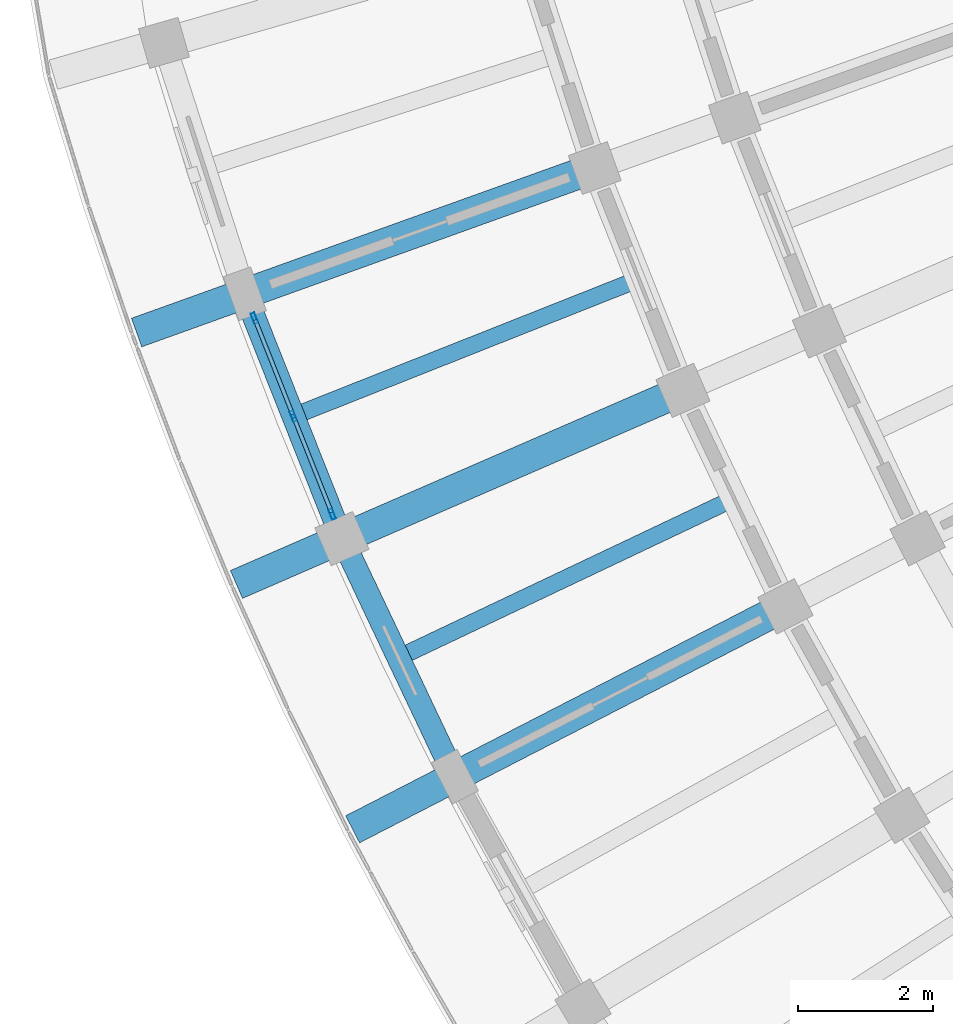
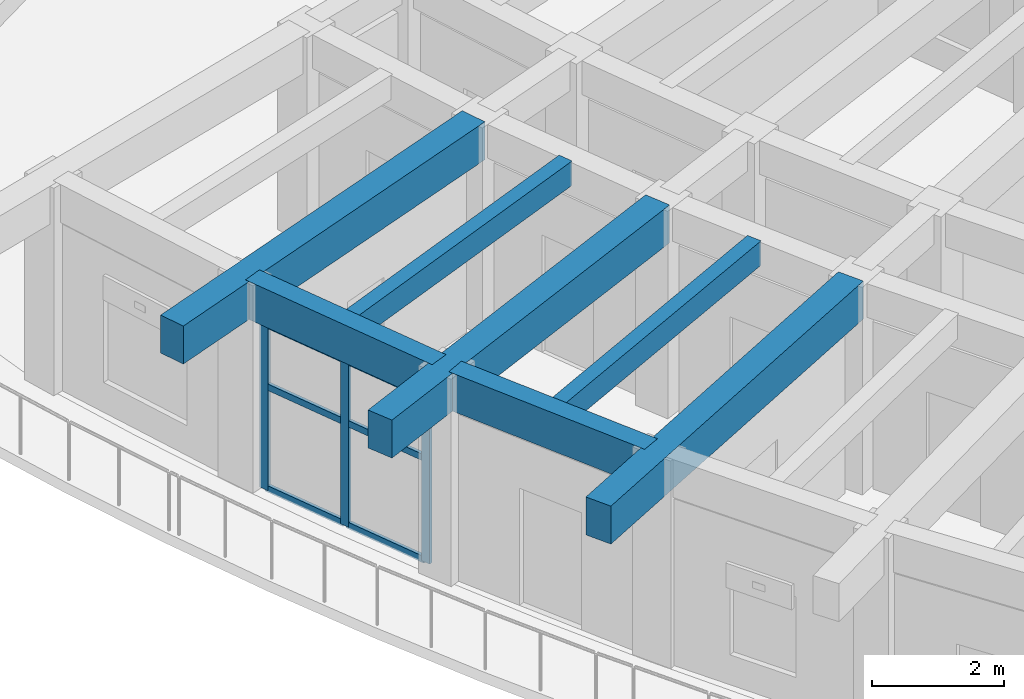
# One storey, part 13 of 128: 9 members, 7 beams, 1 element without a shape of its own.
"""IFC4 building model written with IfcOpenShell, lengths in metres."""

from ifc_helpers import new_model, si_unit, direction, frame, origin, origin_2d, place, context, subcontext, project, spatial, rectangle, hollow_rectangle, extrude, material, material_profile, profile_set, type_object, element, aggregate, save


model = new_model("IFC4")

# Units and contexts
model_context = context("Model", 3, precision=1e-05, world=origin(), true_north=direction((0.0, 1.0)))
body_context = subcontext(model_context, "Body", "Model", "MODEL_VIEW")
ifc_project = project(units=[si_unit("LENGTHUNIT", "METRE"), si_unit("AREAUNIT", "SQUARE_METRE"), si_unit("VOLUMEUNIT", "CUBIC_METRE"), si_unit("PLANEANGLEUNIT", "RADIAN"), si_unit("MASSUNIT", "GRAM", prefix="KILO")], contexts=[model_context])

# Site, building, storey
site_placement = place(None, origin())
site = spatial("IfcSite", under=ifc_project, at=site_placement, CompositionType="ELEMENT")
building_placement = place(site_placement, origin())
building = spatial("IfcBuilding", under=site, at=building_placement, Name="Tanwirah Colonnade Gardens", CompositionType="ELEMENT")
storey_placement = place(building_placement, frame((0.0, 0.0, 4.760009765625)))
storey = spatial("IfcBuildingStorey", under=building, at=storey_placement, Name="L01", CompositionType="ELEMENT", Elevation=4.760009765625)

# Beams
ifc_material_1 = material(Name="Precast concrete C45/55", Category="concrete")
ifc_material_profile_1 = material_profile(ifc_material_1, rectangle(XDim=0.449951171875, YDim=0.699951171875, at=origin_2d()), Name="PC-BM 450x700")
ifc_profile_set_1 = profile_set([ifc_material_profile_1], Name="Precast concrete C45/55")
beam_type_1 = type_object("IfcBeamType", Name="BM-PC450", PredefinedType="BEAM", material=ifc_profile_set_1)
for number, where, z_axis, x_axis, name in (
    (1, (13.98828125, 46.184814453125, 3.47509765625), (-0.941174903614, -0.337919814168, 0.0), (0.337919814168, -0.941174903614, 0.0), "Block C L01 Outer Radial Precast Girder 1"),
    (2, (15.29541015625, 42.8876953125, 3.47509765625), (-0.91706895514, -0.398728643965, 0.0), (0.398728643965, -0.91706895514, 0.0), "Block C L01 Outer Radial Precast Girder 2"),
    (3, (16.815185546875, 39.683349609375, 3.47509765625), (-0.889016420099, -0.457875315774, 0.0), (0.457875315774, -0.889016420099, 0.0), "Block C L01 Outer Radial Precast Girder 3"),
):
    element("IfcBeam", number, at=place(storey_placement, frame(where, z_axis=z_axis, x_axis=x_axis)), inside=storey, type_object=beam_type_1, Name=name, PredefinedType="BEAM", context=body_context, shape_type="SweptSolid", body=[
        extrude(rectangle(XDim=0.449951171875, YDim=0.699951171875, at=origin_2d()), origin(), (0.0, 0.0, 1.0), 7.050048828125),
    ])

# Curtain wall, members
ifc_material_2 = material(Name="Bronze-anodised aluminium and solar-control low-E glass", Category="aluminium")
curtain_wall_type = type_object("IfcCurtainWallType", Name="CW-LOB", PredefinedType="NOTDEFINED", material=ifc_material_2)
curtain_wall_placement = place(storey_placement, origin())
curtain_wall = element("IfcCurtainWall", 4, at=curtain_wall_placement, inside=storey, type_object=curtain_wall_type, Name="Curtain Wall CW-C-L01-OUT-01", PredefinedType="NOTDEFINED")
ifc_material_3 = material(Name="Bronze-anodised aluminium", Category="aluminium")
ifc_material_profile_2 = material_profile(ifc_material_3, hollow_rectangle(XDim=0.06005859375, YDim=0.159912109375, WallThickness=0.00390625, at=origin_2d()), Name="CW-MUL 60x160x4")
ifc_profile_set_2 = profile_set([ifc_material_profile_2], Name="Bronze-anodised aluminium")
member_type_1 = type_object("IfcMemberType", Name="CWM-60x160", PredefinedType="MULLION", material=ifc_profile_set_2)
member_1_placement = place(storey_placement, frame((9.0966796875, 44.014404296875, 0.0), z_axis=(0.0, 0.0, 1.0), x_axis=(0.929616338627, 0.368528781723, 0.0)))
member_1 = element("IfcMember", 5, at=member_1_placement, type_object=member_type_1, Name="CW-LOB mullion 1", PredefinedType="MULLION", context=body_context, shape_type="SweptSolid", body=[
    extrude(hollow_rectangle(XDim=0.06005859375, YDim=0.159912109375, WallThickness=0.00390625, at=origin_2d()), origin(), (0.0, 0.0, 1.0), 3.074951171875),
])
member_2_placement = place(storey_placement, frame((9.6708984375, 42.565673828125, 0.0), z_axis=(0.0, 0.0, 1.0), x_axis=(0.929616338627, 0.368528781723, 0.0)))
member_2 = element("IfcMember", 6, at=member_2_placement, type_object=member_type_1, Name="CW-LOB mullion 2", PredefinedType="MULLION", context=body_context, shape_type="SweptSolid", body=[
    extrude(hollow_rectangle(XDim=0.06005859375, YDim=0.159912109375, WallThickness=0.00390625, at=origin_2d()), origin(), (0.0, 0.0, 1.0), 3.074951171875),
])
member_3_placement = place(storey_placement, frame((10.245361328125, 41.116943359375, 0.0), z_axis=(0.0, 0.0, 1.0), x_axis=(0.929616338627, 0.368528781723, 0.0)))
member_3 = element("IfcMember", 7, at=member_3_placement, type_object=member_type_1, Name="CW-LOB mullion 3", PredefinedType="MULLION", context=body_context, shape_type="SweptSolid", body=[
    extrude(hollow_rectangle(XDim=0.06005859375, YDim=0.159912109375, WallThickness=0.00390625, at=origin_2d()), origin(), (0.0, 0.0, 1.0), 3.074951171875),
])
ifc_material_profile_3 = material_profile(ifc_material_3, hollow_rectangle(XDim=0.06005859375, YDim=0.1201171875, WallThickness=0.00390625, at=origin_2d()), Name="CW-TRN 60x120x4")
ifc_profile_set_3 = profile_set([ifc_material_profile_3], Name="Bronze-anodised aluminium")
member_type_2 = type_object("IfcMemberType", Name="CWT-60x120", PredefinedType="USERDEFINED", material=ifc_profile_set_3)
member_4_placement = place(storey_placement, frame((9.107666015625, 43.986572265625, 0.030029296875), z_axis=(0.368579594882, -0.929596193106, 0.0), x_axis=(0.929596193106, 0.368579594882, 0.0)))
member_4 = element("IfcMember", 8, at=member_4_placement, type_object=member_type_2, Name="CW-LOB transom 1.1", ObjectType="TRANSOM", PredefinedType="USERDEFINED", context=body_context, shape_type="SweptSolid", body=[
    extrude(hollow_rectangle(XDim=0.06005859375, YDim=0.1201171875, WallThickness=0.00390625, at=origin_2d()), origin(), (0.0, 0.0, 1.0), 1.498291015625),
])
member_5_placement = place(storey_placement, frame((9.107666015625, 43.986572265625, 1.906494140625), z_axis=(0.368579594882, -0.929596193106, 0.0), x_axis=(0.929596193106, 0.368579594882, 0.0)))
member_5 = element("IfcMember", 9, at=member_5_placement, type_object=member_type_2, Name="CW-LOB transom 1.2", ObjectType="TRANSOM", PredefinedType="USERDEFINED", context=body_context, shape_type="SweptSolid", body=[
    extrude(hollow_rectangle(XDim=0.06005859375, YDim=0.1201171875, WallThickness=0.00390625, at=origin_2d()), origin(), (0.0, 0.0, 1.0), 1.498291015625),
])
member_6_placement = place(storey_placement, frame((9.107666015625, 43.986572265625, 3.044921875), z_axis=(0.368579594882, -0.929596193106, 0.0), x_axis=(0.929596193106, 0.368579594882, 0.0)))
member_6 = element("IfcMember", 10, at=member_6_placement, type_object=member_type_2, Name="CW-LOB transom 1.3", ObjectType="TRANSOM", PredefinedType="USERDEFINED", context=body_context, shape_type="SweptSolid", body=[
    extrude(hollow_rectangle(XDim=0.06005859375, YDim=0.1201171875, WallThickness=0.00390625, at=origin_2d()), origin(), (0.0, 0.0, 1.0), 1.498291015625),
])
member_7_placement = place(storey_placement, frame((9.68212890625, 42.537841796875, 0.030029296875), z_axis=(0.368579594882, -0.929596193106, 0.0), x_axis=(0.929596193106, 0.368579594882, 0.0)))
member_7 = element("IfcMember", 11, at=member_7_placement, type_object=member_type_2, Name="CW-LOB transom 2.1", ObjectType="TRANSOM", PredefinedType="USERDEFINED", context=body_context, shape_type="SweptSolid", body=[
    extrude(hollow_rectangle(XDim=0.06005859375, YDim=0.1201171875, WallThickness=0.00390625, at=origin_2d()), origin(), (0.0, 0.0, 1.0), 1.498291015625),
])
member_8_placement = place(storey_placement, frame((9.68212890625, 42.537841796875, 1.906494140625), z_axis=(0.368579594882, -0.929596193106, 0.0), x_axis=(0.929596193106, 0.368579594882, 0.0)))
member_8 = element("IfcMember", 12, at=member_8_placement, type_object=member_type_2, Name="CW-LOB transom 2.2", ObjectType="TRANSOM", PredefinedType="USERDEFINED", context=body_context, shape_type="SweptSolid", body=[
    extrude(hollow_rectangle(XDim=0.06005859375, YDim=0.1201171875, WallThickness=0.00390625, at=origin_2d()), origin(), (0.0, 0.0, 1.0), 1.498291015625),
])
member_9_placement = place(storey_placement, frame((9.68212890625, 42.537841796875, 3.044921875), z_axis=(0.368579594882, -0.929596193106, 0.0), x_axis=(0.929596193106, 0.368579594882, 0.0)))
member_9 = element("IfcMember", 13, at=member_9_placement, type_object=member_type_2, Name="CW-LOB transom 2.3", ObjectType="TRANSOM", PredefinedType="USERDEFINED", context=body_context, shape_type="SweptSolid", body=[
    extrude(hollow_rectangle(XDim=0.06005859375, YDim=0.1201171875, WallThickness=0.00390625, at=origin_2d()), origin(), (0.0, 0.0, 1.0), 1.498291015625),
])
aggregate(curtain_wall, [member_1, member_2, member_3, member_4, member_5, member_6, member_7, member_8, member_9])

# Beams
ifc_material_4 = material(Name="Precast concrete C40/50", Category="concrete")
ifc_material_profile_4 = material_profile(ifc_material_4, rectangle(XDim=0.25, YDim=0.449951171875, at=origin_2d()), Name="PC-JST 250x450")
ifc_profile_set_4 = profile_set([ifc_material_profile_4], Name="Precast concrete C40/50")
beam_type_2 = type_object("IfcBeamType", Name="JST-PC250", PredefinedType="JOIST", material=ifc_profile_set_4)
for number, where, z_axis, x_axis, name in (
    (14, (14.642822265625, 44.53662109375, 3.60009765625), (-0.929618207145, -0.368524068338, 0.0), (0.368524068338, -0.929618207145, 0.0), "Block C L01 Precast Floor Joist 1"),
    (15, (16.05615234375, 41.285888671875, 3.60009765625), (-0.903517509842, -0.428551174785, 0.0), (0.428551174785, -0.903517509842, 0.0), "Block C L01 Precast Floor Joist 2"),
):
    element("IfcBeam", number, at=place(storey_placement, frame(where, z_axis=z_axis, x_axis=x_axis)), inside=storey, type_object=beam_type_2, Name=name, PredefinedType="JOIST", context=body_context, shape_type="SweptSolid", body=[
        extrude(rectangle(XDim=0.25, YDim=0.449951171875, at=origin_2d()), origin(), (0.0, 0.0, 1.0), 5.260009765625),
    ])
ifc_material_profile_5 = material_profile(ifc_material_1, rectangle(XDim=0.340087890625, YDim=0.699951171875, at=origin_2d()), Name="PC-SP 340x700")
ifc_profile_set_5 = profile_set([ifc_material_profile_5], Name="Precast concrete C45/55")
beam_type_3 = type_object("IfcBeamType", Name="SP-PC340", PredefinedType="SPANDREL", material=ifc_profile_set_5)
for number, where, z_axis, x_axis, name in (
    (16, (9.00830078125, 44.237548828125, 3.47509765625), (0.368521552478, -0.929619204491, 0.0), (0.929619204491, 0.368521552478, 0.0), "Block C L01 Circumferential Beam 1-R3"),
    (17, (10.453369140625, 40.618896484375, 3.47509765625), (0.428518139447, -0.903533178231, 0.0), (0.903533178231, 0.428518139447, 0.0), "Block C L01 Circumferential Beam 2-R3"),
):
    element("IfcBeam", number, at=place(storey_placement, frame(where, z_axis=z_axis, x_axis=x_axis)), inside=storey, type_object=beam_type_3, Name=name, PredefinedType="SPANDREL", context=body_context, shape_type="SweptSolid", body=[
        extrude(rectangle(XDim=0.340087890625, YDim=0.699951171875, at=origin_2d()), origin(), (0.0, 0.0, 1.0), 3.5966796875),
    ])

save(model, "model.ifc")
